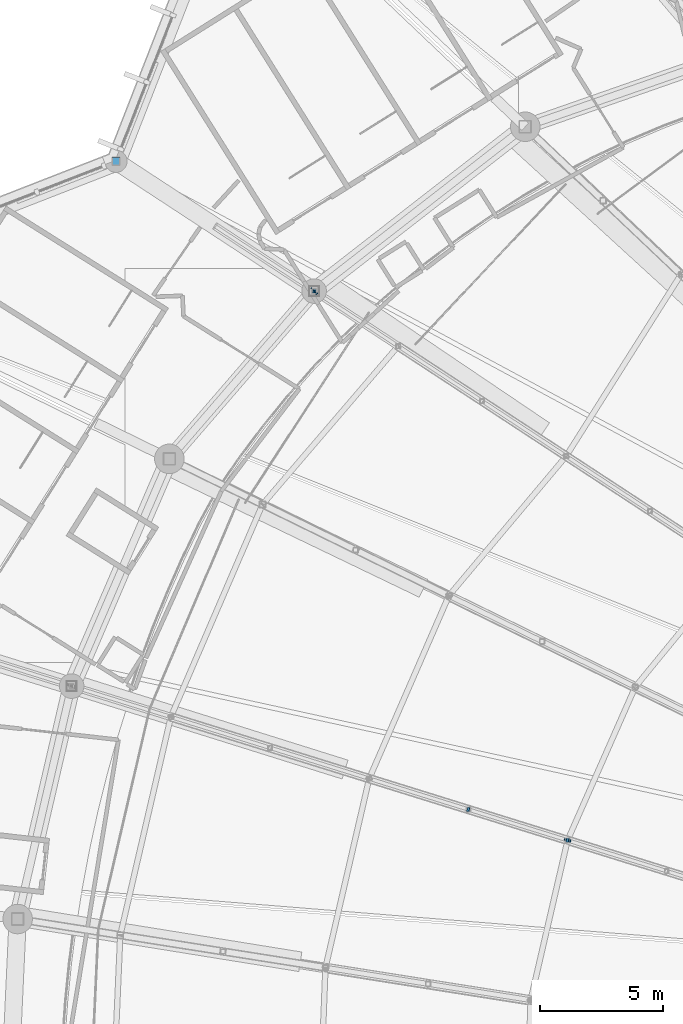
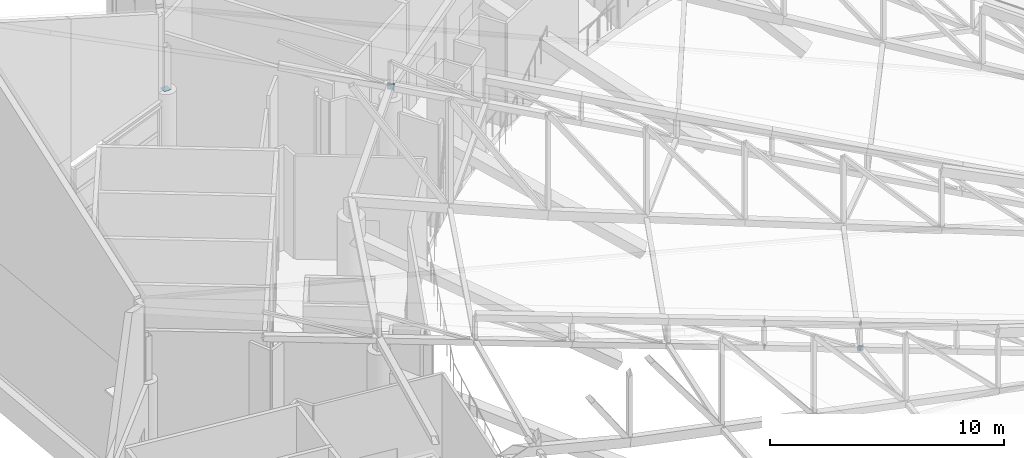
# One storey, part 315 of 344: 10 discrete accessories.
"""IFC4 building model written with IfcOpenShell, lengths in metres."""

import ifcopenshell
import ifcopenshell.guid

model = None  # the IFC model being written
_history = None  # IfcOwnerHistory: only IFC2X3 demands one
_inside = {}  # id of a spatial element -> (the spatial element, [elements in it])
_under = {}  # id of a project, library or spatial element -> (it, [spatial elements below it])
_declared = {}  # id of a project -> (the project, [libraries it declares])
_typed = {}  # id of a type object -> (the type object, [elements of that type])
_made_of = {}  # id of a material, layer set ... -> (it, [elements and type objects made of it])


def new_model(schema):
    """Start an empty IFC model of exactly this schema.

    Asked for "IFC4X3", IfcOpenShell would pick the latest addendum, in which some entities
    have other attributes; the version numbers below select the first issue.
    IFC2X3 requires an IfcOwnerHistory on every rooted entity: one is made here for all.
    """
    global model, _history
    if schema == "IFC4X3":
        model = ifcopenshell.file(schema_version=(4, 3, 0, 0))
    else:
        model = ifcopenshell.file(schema=schema)
    _inside.clear()
    _under.clear()
    _declared.clear()
    _typed.clear()
    _made_of.clear()
    _history = None
    if model.schema == "IFC2X3":
        org = make("IfcOrganization", Name="unknown")
        user = make(
            "IfcPersonAndOrganization",
            ThePerson=make("IfcPerson", FamilyName="unknown"),
            TheOrganization=org,
        )
        app = make(
            "IfcApplication",
            ApplicationDeveloper=org,
            Version="unknown",
            ApplicationFullName="unknown",
            ApplicationIdentifier="unknown",
        )
        _history = make(
            "IfcOwnerHistory",
            OwningUser=user,
            OwningApplication=app,
            ChangeAction="ADDED",
            CreationDate=0,
        )
    return model


def make(cls, **values):
    """One entity of the class cls with the attributes given. An attribute that is None is left unset."""
    return model.create_entity(
        cls, **{name: value for name, value in values.items() if value is not None}
    )


def rooted(cls, **values):
    """An entity with a GlobalId (a new one), such as an element, a storey or a relation."""
    return make(cls, GlobalId=ifcopenshell.guid.new(), OwnerHistory=_history, **values)


def si_unit(unit_type, name, prefix=None):
    """IfcSIUnit, for example si_unit("LENGTHUNIT", "METRE", prefix="MILLI")."""
    return make("IfcSIUnit", UnitType=unit_type, Prefix=prefix, Name=name)


def assignment(units):
    """IfcUnitAssignment: the units of a project."""
    return None if units is None else make("IfcUnitAssignment", Units=units)


def point(xyz):
    """IfcCartesianPoint."""
    return None if xyz is None else make("IfcCartesianPoint", Coordinates=xyz)


def direction(xyz):
    """IfcDirection."""
    return None if xyz is None else make("IfcDirection", DirectionRatios=xyz)


def frame(location, z_axis=None, x_axis=None):
    """IfcAxis2Placement3D, a coordinate frame: its origin and axes. An axis left out is left unset."""
    return make(
        "IfcAxis2Placement3D",
        Location=point(location),
        Axis=direction(z_axis),
        RefDirection=direction(x_axis),
    )


def frame_2d(location, x_axis=None):
    """IfcAxis2Placement2D, a coordinate frame in the plane: its origin and x axis."""
    return make(
        "IfcAxis2Placement2D", Location=point(location), RefDirection=direction(x_axis)
    )


def origin():
    """The frame at (0, 0, 0) with its axes left unset."""
    return frame((0.0, 0.0, 0.0))


def origin_2d():
    """The frame at (0, 0) in the plane with its x axis left unset."""
    return frame_2d((0.0, 0.0))


def place(relative_to, where):
    """IfcLocalPlacement: puts the frame where relative to a parent placement (None: the world)."""
    return make(
        "IfcLocalPlacement", PlacementRelTo=relative_to, RelativePlacement=where
    )


def context(
    kind, dimensions, precision=None, world=None, true_north=None, identifier=None
):
    """IfcGeometricRepresentationContext, for example the 3D "Model" context."""
    return make(
        "IfcGeometricRepresentationContext",
        ContextIdentifier=identifier,
        ContextType=kind,
        CoordinateSpaceDimension=dimensions,
        Precision=precision,
        WorldCoordinateSystem=world,
        TrueNorth=true_north,
    )


def subcontext(parent, identifier, kind, view, scale=None):
    """IfcGeometricRepresentationSubContext, for example "Body" below "Model"."""
    return make(
        "IfcGeometricRepresentationSubContext",
        ContextIdentifier=identifier,
        ContextType=kind,
        ParentContext=parent,
        TargetScale=scale,
        TargetView=view,
    )


def project(units=None, contexts=None):
    """IfcProject with its units and contexts."""
    return rooted(
        "IfcProject",
        Name="project",
        RepresentationContexts=contexts,
        UnitsInContext=assignment(units),
    )


def spatial(cls, under=None, at=None, **own):
    """A site, building, storey or space (cls), placed at a placement, below another one or the project."""
    s = rooted(cls, ObjectPlacement=at, **own)
    if under is not None:
        _under.setdefault(under.id(), (under, []))[1].append(s)
    return s


def profile(cls, at=None, kind="AREA", **sizes):
    """A parametric profile (cls). Its sizes go by their IFC names, for example OverallWidth=200.0."""
    return make(cls, ProfileType=kind, Position=at, **sizes)


def rectangle(**sizes):
    """IfcRectangleProfileDef."""
    return profile("IfcRectangleProfileDef", **sizes)


def extrude(swept, where, along, depth):
    """IfcExtrudedAreaSolid: the profile swept, set in the frame where, extruded along a direction by depth."""
    return make(
        "IfcExtrudedAreaSolid",
        SweptArea=swept,
        Position=where,
        ExtrudedDirection=direction(along),
        Depth=depth,
    )


def shape(context_of_items, identifier, shape_type, items):
    """IfcShapeRepresentation: the items that make up one representation, for example the "Body"."""
    return make(
        "IfcShapeRepresentation",
        ContextOfItems=context_of_items,
        RepresentationIdentifier=identifier,
        RepresentationType=shape_type,
        Items=items,
    )


def material(Name=None, Category=None):
    """IfcMaterial."""
    return make("IfcMaterial", Name=Name, Category=Category)


def material_profile(
    of_material, cross_section, Name=None, Category=None, Priority=None
):
    """IfcMaterialProfile: a cross section and its material."""
    return make(
        "IfcMaterialProfile",
        Name=Name,
        Material=of_material,
        Profile=cross_section,
        Priority=Priority,
        Category=Category,
    )


def profile_set(profiles, Name=None, composite=None):
    """IfcMaterialProfileSet."""
    return make(
        "IfcMaterialProfileSet",
        Name=Name,
        MaterialProfiles=profiles,
        CompositeProfile=composite,
    )


def made_of(thing, what):
    """Note that an element or type object is made of a material, layer set ...; save() writes the relation."""
    if what is not None:
        _made_of.setdefault(what.id(), (what, []))[1].append(thing)
    return thing


def type_object(cls, material=None, **own):
    """A type object (cls), such as IfcWallType, which elements share."""
    return made_of(rooted(cls, **own), material)


def element(
    cls,
    number,
    at=None,
    inside=None,
    cuts=None,
    type_object=None,
    material=None,
    context=None,
    identifier="Body",
    shape_type=None,
    held_by="IfcProductDefinitionShape",
    body=None,
    shapes=None,
    **own,
):
    """One element of the class cls, such as IfcWall. Its Tag is "e" and its number.

    at: its placement. inside: the storey or other place that contains it. cuts: it is an
    opening in that element (IfcRelVoidsElement). A single representation is given by context,
    identifier, shape_type and body (its items); several are given by shapes. held_by: the class
    of the entity that holds the representations. save() writes the other relations.
    """
    e = rooted(cls, Tag="e%d" % number, ObjectPlacement=at, **own)
    if body is not None:
        shapes = [shape(context, identifier, shape_type, body)]
    if shapes is not None:
        e.Representation = make(held_by, Representations=shapes)
    if inside is not None:
        _inside.setdefault(inside.id(), (inside, []))[1].append(e)
    if cuts is not None:
        rooted(
            "IfcRelVoidsElement", RelatingBuildingElement=cuts, RelatedOpeningElement=e
        )
    if type_object is not None:
        _typed.setdefault(type_object.id(), (type_object, []))[1].append(e)
    return made_of(e, material)


def aggregate(whole, parts):
    """IfcRelAggregates: a whole, such as a stair, and the parts it consists of."""
    return rooted("IfcRelAggregates", RelatingObject=whole, RelatedObjects=parts)


def save(model, path):
    """Write the relations noted so far, then the file.

    IfcRelAggregates (storeys below a building ...), IfcRelContainedInSpatialStructure (elements
    in a storey), IfcRelDefinesByType, IfcRelAssociatesMaterial and IfcRelDeclares: one each for
    every whole, place, type object, material and project.
    """
    for whole, parts in _under.values():
        aggregate(whole, parts)
    for where, things in _inside.values():
        rooted(
            "IfcRelContainedInSpatialStructure",
            RelatedElements=things,
            RelatingStructure=where,
        )
    for kind, things in _typed.values():
        rooted("IfcRelDefinesByType", RelatedObjects=things, RelatingType=kind)
    for what, things in _made_of.values():
        rooted("IfcRelAssociatesMaterial", RelatedObjects=things, RelatingMaterial=what)
    for by, libraries in _declared.values():
        rooted("IfcRelDeclares", RelatingContext=by, RelatedDefinitions=libraries)
    model.write(path)


model = new_model("IFC4")

# Units and contexts
model_context = context("Model", 3, precision=1e-05, world=origin(), true_north=direction((0.0, 1.0)))
body_context = subcontext(model_context, "Body", "Model", "MODEL_VIEW")
ifc_project = project(units=[si_unit("LENGTHUNIT", "METRE"), si_unit("AREAUNIT", "SQUARE_METRE"), si_unit("VOLUMEUNIT", "CUBIC_METRE"), si_unit("PLANEANGLEUNIT", "RADIAN"), si_unit("MASSUNIT", "GRAM", prefix="KILO")], contexts=[model_context])

# Site, building, storey
site_placement = place(None, origin())
site = spatial("IfcSite", under=ifc_project, at=site_placement, CompositionType="ELEMENT")
building_placement = place(site_placement, origin())
building = spatial("IfcBuilding", under=site, at=building_placement, Name="Meseta Stadium", CompositionType="ELEMENT")
storey_placement = place(building_placement, frame((0.0, 0.0, 24.0)))
storey = spatial("IfcBuildingStorey", under=building, at=storey_placement, Name="L04", CompositionType="ELEMENT", Elevation=24.0)

# Discrete accessories
ifc_material_1 = material(Name="Steel S355", Category="steel")
ifc_material_profile_1 = material_profile(ifc_material_1, rectangle(XDim=0.179931640625, YDim=0.179931640625, at=origin_2d()), Name="PL 180x180")
ifc_profile_set_1 = profile_set([ifc_material_profile_1], Name="Steel S355")
discrete_accessory_type_1 = type_object("IfcDiscreteAccessoryType", Name="End plate 180x180x20", PredefinedType="ANCHORPLATE", material=ifc_profile_set_1)
for number, where, z_axis, x_axis, name in (
    (1, (-72.296630859375, 79.0810546875, 6.492919921875), (-0.763650388566, 0.496978824305, 0.412128781131), (-0.545455886295, -0.8381395326, 0.0), "End plate of ROOF TRUSS RT-25 diagonal"),
    (2, (-62.010498046875, 56.7646484375, 4.06396484375), (-0.856465372407, 0.269174831328, 0.440467905809), (-0.29982659674, -0.953993716901, 0.0), "End plate of ROOF TRUSS RT-27 diagonal"),
    (3, (-61.9931640625, 56.75927734375, 2.75537109375), (-0.864184479619, 0.267775472558, 0.426006433615), (-0.295976029358, -0.955195367475, 0.0), "End plate of ROOF TRUSS RT-27 diagonal"),
):
    element("IfcDiscreteAccessory", number, at=place(storey_placement, frame(where, z_axis=z_axis, x_axis=x_axis)), inside=storey, type_object=discrete_accessory_type_1, Name=name, PredefinedType="ANCHORPLATE", context=body_context, shape_type="SweptSolid", body=[
        extrude(rectangle(XDim=0.179931640625, YDim=0.179931640625, at=origin_2d()), origin(), (0.0, 0.0, 1.0), 0.02001953125),
    ])
discrete_accessory_1_placement = place(storey_placement, frame((-66.042236328125, 58.0185546875, 4.810302734375), z_axis=(-0.859235340228, 0.257770602068, 0.441892460688), x_axis=(-0.287347885566, -0.957826285221, 0.0)))
element("IfcDiscreteAccessory", 4, at=discrete_accessory_1_placement, inside=storey, type_object=discrete_accessory_type_1, Name="End plate of ROOF TRUSS RT-27 diagonal", PredefinedType="ANCHORPLATE", context=body_context, shape_type="SweptSolid", body=[
    extrude(rectangle(XDim=0.179931640625, YDim=0.179931640625, at=origin_2d()), origin(), (0.0, 0.0, 1.0), 0.019775390625),
])
discrete_accessory_2_placement = place(storey_placement, frame((-66.02490234375, 58.01318359375, 3.501708984375), z_axis=(-0.864184479619, 0.267775472558, 0.426006433615), x_axis=(-0.295976029358, -0.955195367475, 0.0)))
element("IfcDiscreteAccessory", 5, at=discrete_accessory_2_placement, inside=storey, type_object=discrete_accessory_type_1, Name="End plate of ROOF TRUSS RT-27 diagonal", PredefinedType="ANCHORPLATE", context=body_context, shape_type="SweptSolid", body=[
    extrude(rectangle(XDim=0.179931640625, YDim=0.179931640625, at=origin_2d()), origin(), (0.0, 0.0, 1.0), 0.02001953125),
])
ifc_material_2 = material(Name="Steel S355", Category="steel")
ifc_material_profile_2 = material_profile(ifc_material_2, rectangle(XDim=0.260009765625, YDim=0.260009765625, at=origin_2d()), Name="PL 260x260")
ifc_profile_set_2 = profile_set([ifc_material_profile_2], Name="Steel S355")
discrete_accessory_type_2 = type_object("IfcDiscreteAccessoryType", Name="End plate 260x260x20", PredefinedType="ANCHORPLATE", material=ifc_profile_set_2)
discrete_accessory_3_placement = place(storey_placement, frame((-62.010498046875, 56.7646484375, 2.763916015625), z_axis=(-0.389405071601, -0.888330319589, -0.24337816975), x_axis=(0.915869154004, -0.401476889427, 0.0)))
element("IfcDiscreteAccessory", 6, at=discrete_accessory_3_placement, inside=storey, type_object=discrete_accessory_type_2, Name="End plate of ROOF TRUSS STRUT RT-26/27", PredefinedType="ANCHORPLATE", context=body_context, shape_type="SweptSolid", body=[
    extrude(rectangle(XDim=0.260009765625, YDim=0.260009765625, at=origin_2d()), origin(), (0.0, 0.0, 1.0), 0.02001953125),
])
discrete_accessory_4_placement = place(storey_placement, frame((-62.006103515625, 56.783447265625, 2.75927734375), z_axis=(-0.221330064109, -0.9468008298, 0.233626178782), x_axis=(0.973747847886, -0.227629367038, 0.0)))
element("IfcDiscreteAccessory", 7, at=discrete_accessory_4_placement, inside=storey, type_object=discrete_accessory_type_2, Name="End plate of ROOF TRUSS STRUT RT-27/28", PredefinedType="ANCHORPLATE", context=body_context, shape_type="SweptSolid", body=[
    extrude(rectangle(XDim=0.260009765625, YDim=0.260009765625, at=origin_2d()), origin(), (0.0, 0.0, 1.0), 0.019775390625),
])
ifc_material_3 = material(Name="Steel S355", Category="steel")
ifc_material_profile_3 = material_profile(ifc_material_3, rectangle(XDim=0.340087890625, YDim=0.340087890625, at=origin_2d()), Name="PL 340x340")
ifc_profile_set_3 = profile_set([ifc_material_profile_3], Name="Steel S355")
discrete_accessory_type_3 = type_object("IfcDiscreteAccessoryType", Name="End plate 340x340x20", PredefinedType="ANCHORPLATE", material=ifc_profile_set_3)
for number, where, z_axis, x_axis, name in (
    (8, (-80.365478515625, 84.365478515625, 5.97998046875), (0.0, 0.0, 1.0), (1.0, 0.0, 0.0), "End plate of ROOF RIM POST RT-25"),
    (9, (-72.31201171875, 79.091064453125, 6.501220703125), (-0.782001169184, -0.623157181694, -0.012218768269), (0.623203705056, -0.782059551443, 0.0), "End plate of ROOF PIVOT STRUT RT-24/25"),
    (10, (-72.298828125, 79.106201171875, 6.500732421875), (-0.656586517166, -0.753858593783, 0.024318019154), (0.754081595886, -0.656780744804, 0.0), "End plate of ROOF PIVOT STRUT RT-25/26"),
):
    element("IfcDiscreteAccessory", number, at=place(storey_placement, frame(where, z_axis=z_axis, x_axis=x_axis)), inside=storey, type_object=discrete_accessory_type_3, Name=name, PredefinedType="ANCHORPLATE", context=body_context, shape_type="SweptSolid", body=[
        extrude(rectangle(XDim=0.340087890625, YDim=0.340087890625, at=origin_2d()), origin(), (0.0, 0.0, 1.0), 0.02001953125),
    ])

save(model, "model.ifc")
